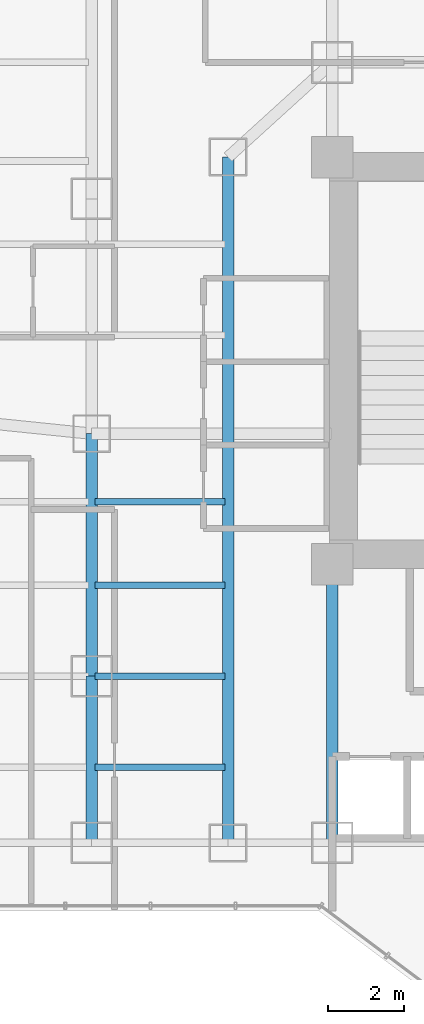
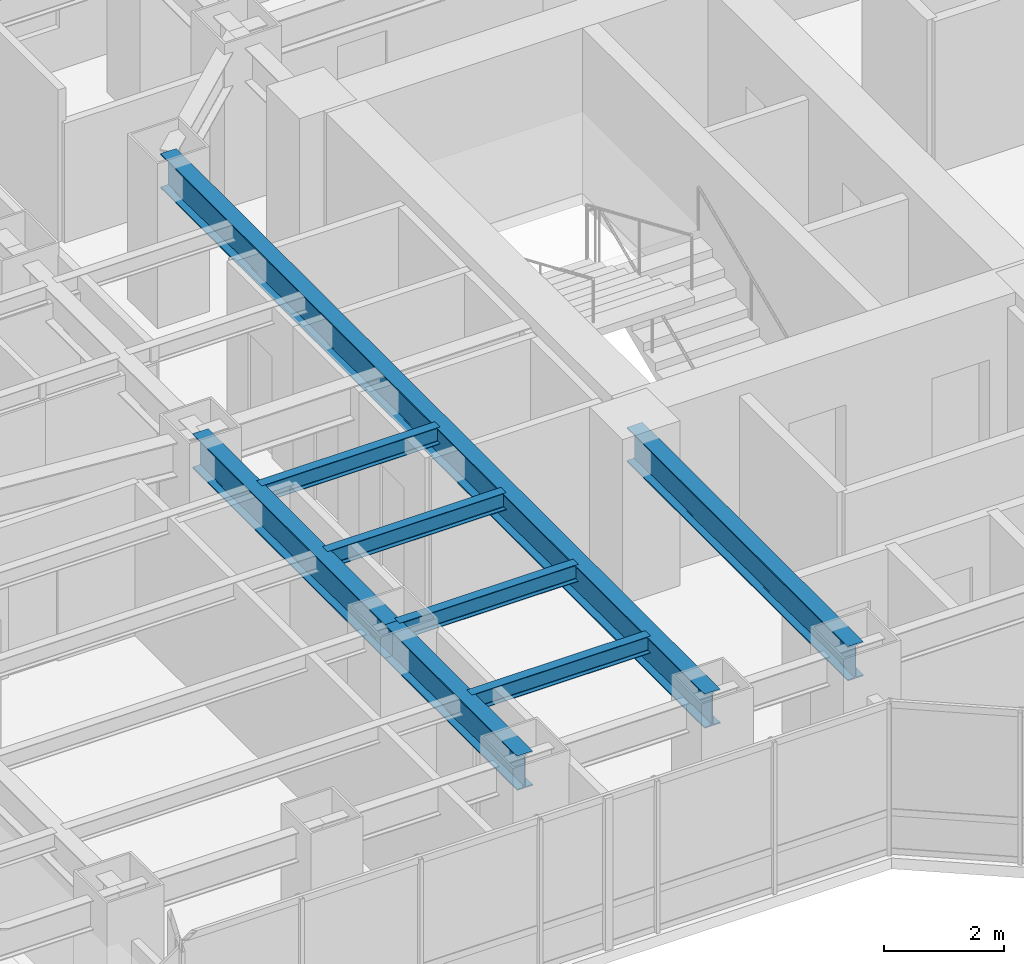
# One storey, part 8 of 39: 8 beams.
"""IFC4 building model written with IfcOpenShell, lengths in metres."""

from ifc_helpers import new_model, si_unit, direction, frame, origin, origin_2d, place, context, subcontext, project, spatial, i_section, extrude, material, material_profile, profile_set, type_object, element, save


model = new_model("IFC4")

# Units and contexts
model_context = context("Model", 3, precision=1e-05, world=origin(), true_north=direction((0.0, 1.0)))
body_context = subcontext(model_context, "Body", "Model", "MODEL_VIEW")
ifc_project = project(units=[si_unit("LENGTHUNIT", "METRE"), si_unit("AREAUNIT", "SQUARE_METRE"), si_unit("VOLUMEUNIT", "CUBIC_METRE"), si_unit("PLANEANGLEUNIT", "RADIAN"), si_unit("MASSUNIT", "GRAM", prefix="KILO")], contexts=[model_context])

# Site, building, storey
site_placement = place(None, origin())
site = spatial("IfcSite", under=ifc_project, at=site_placement, CompositionType="ELEMENT")
building_placement = place(site_placement, origin())
building = spatial("IfcBuilding", under=site, at=building_placement, Name="Hatsunagi Terrace Concourse", CompositionType="ELEMENT")
storey_placement = place(building_placement, frame((0.0, 0.0, 66.75)))
storey = spatial("IfcBuildingStorey", under=building, at=storey_placement, Name="L17", CompositionType="ELEMENT", Elevation=66.75)

# Beams
ifc_material_1 = material(Name="Steel SN490B", Category="steel")
ifc_material_profile_1 = material_profile(ifc_material_1, i_section(OverallWidth=0.300048828125, OverallDepth=0.699951171875, WebThickness=0.012939453125, FlangeThickness=0.02392578125, FilletRadius=0.02197265625, at=origin_2d()), Name="H-700x300x13x24")
ifc_profile_set_1 = profile_set([ifc_material_profile_1], Name="Steel SN490B")
beam_type_1 = type_object("IfcBeamType", Name="HotelFloorGirder_H_700x300", PredefinedType="BEAM", material=ifc_profile_set_1)
beam_1_placement = place(storey_placement, frame((25.550048828125, 25.199951171875, 2.780029296875), z_axis=(0.0, 1.0, 0.0), x_axis=(-1.0, 0.0, 0.0)))
element("IfcBeam", 1, at=beam_1_placement, inside=storey, type_object=beam_type_1, Name="Beam G-04 BM-L17-K1CA", PredefinedType="BEAM", context=body_context, shape_type="SweptSolid", body=[
    extrude(i_section(OverallWidth=0.300048828125, OverallDepth=0.699951171875, WebThickness=0.012939453125, FlangeThickness=0.02392578125, FilletRadius=0.02197265625, at=origin_2d()), origin(), (0.0, 0.0, 1.0), 7.35009765625),
])
beam_2_placement = place(storey_placement, frame((22.800048828125, 25.199951171875, 2.780029296875), z_axis=(0.0, 1.0, 0.0), x_axis=(-1.0, 0.0, 0.0)))
element("IfcBeam", 2, at=beam_2_placement, inside=storey, type_object=beam_type_1, Name="Beam G-04 BM-L17-CWNS", PredefinedType="BEAM", context=body_context, shape_type="SweptSolid", body=[
    extrude(i_section(OverallWidth=0.300048828125, OverallDepth=0.699951171875, WebThickness=0.012939453125, FlangeThickness=0.02392578125, FilletRadius=0.02197265625, at=origin_2d()), origin(), (0.0, 0.0, 1.0), 18.10009765625),
])
beam_3_placement = place(storey_placement, frame((19.199951171875, 25.199951171875, 2.780029296875), z_axis=(0.0, 1.0, 0.0), x_axis=(-1.0, 0.0, 0.0)))
element("IfcBeam", 3, at=beam_3_placement, inside=storey, type_object=beam_type_1, Name="Beam G-04 BM-L17-NS-19-25", PredefinedType="BEAM", context=body_context, shape_type="SweptSolid", body=[
    extrude(i_section(OverallWidth=0.300048828125, OverallDepth=0.699951171875, WebThickness=0.012939453125, FlangeThickness=0.02392578125, FilletRadius=0.02197265625, at=origin_2d()), origin(), (0.0, 0.0, 1.0), 4.400146484375),
])
beam_4_placement = place(storey_placement, frame((19.199951171875, 29.60009765625, 2.780029296875), z_axis=(0.0, 1.0, 0.0), x_axis=(-1.0, 0.0, 0.0)))
element("IfcBeam", 4, at=beam_4_placement, inside=storey, type_object=beam_type_1, Name="Beam G-04 BM-L17-NS-19-29", PredefinedType="BEAM", context=body_context, shape_type="SweptSolid", body=[
    extrude(i_section(OverallWidth=0.300048828125, OverallDepth=0.699951171875, WebThickness=0.012939453125, FlangeThickness=0.02392578125, FilletRadius=0.02197265625, at=origin_2d()), origin(), (0.0, 0.0, 1.0), 6.39990234375),
])
ifc_material_2 = material(Name="Steel SN490B", Category="steel")
ifc_material_profile_2 = material_profile(ifc_material_2, i_section(OverallWidth=0.175048828125, OverallDepth=0.35009765625, WebThickness=0.007080078125, FlangeThickness=0.010986328125, FilletRadius=0.012939453125, at=origin_2d()), Name="H-350x175x7x11")
ifc_profile_set_2 = profile_set([ifc_material_profile_2], Name="Steel SN490B")
beam_type_2 = type_object("IfcBeamType", Name="HotelJoist_H_350x175", PredefinedType="JOIST", material=ifc_profile_set_2)
for number, where, z_axis, x_axis, name in (
    (5, (19.284912109375, 27.199951171875, 2.955078125), (1.0, 0.0, 0.0), (0.0, 1.0, 0.0), "Beam J-02 J-L17-W-19-272"),
    (6, (19.284912109375, 29.60009765625, 2.955078125), (1.0, 0.0, 0.0), (0.0, 1.0, 0.0), "Beam J-02 J-L17-W-19-296"),
    (7, (19.284912109375, 32.0, 2.955078125), (1.0, 0.0, 0.0), (0.0, 1.0, 0.0), "Beam J-02 J-L17-W-19-320"),
    (8, (19.284912109375, 34.199951171875, 2.955078125), (1.0, 0.0, 0.0), (0.0, 1.0, 0.0), "Beam J-02 J-L17-W-19-342"),
):
    element("IfcBeam", number, at=place(storey_placement, frame(where, z_axis=z_axis, x_axis=x_axis)), inside=storey, type_object=beam_type_2, Name=name, PredefinedType="JOIST", context=body_context, shape_type="SweptSolid", body=[
        extrude(i_section(OverallWidth=0.175048828125, OverallDepth=0.35009765625, WebThickness=0.007080078125, FlangeThickness=0.010986328125, FilletRadius=0.012939453125, at=origin_2d()), origin(), (0.0, 0.0, 1.0), 3.43017578125),
    ])

save(model, "model.ifc")
